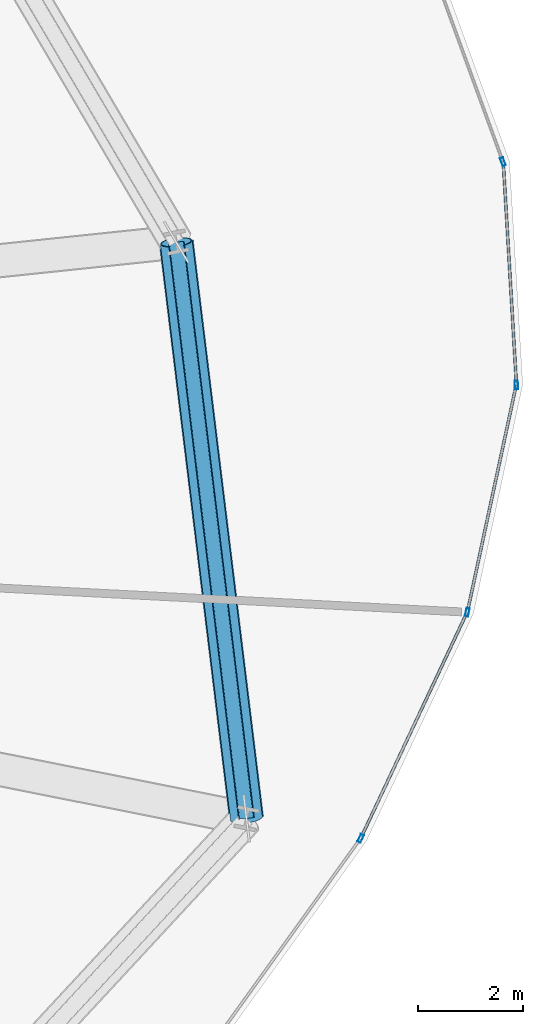
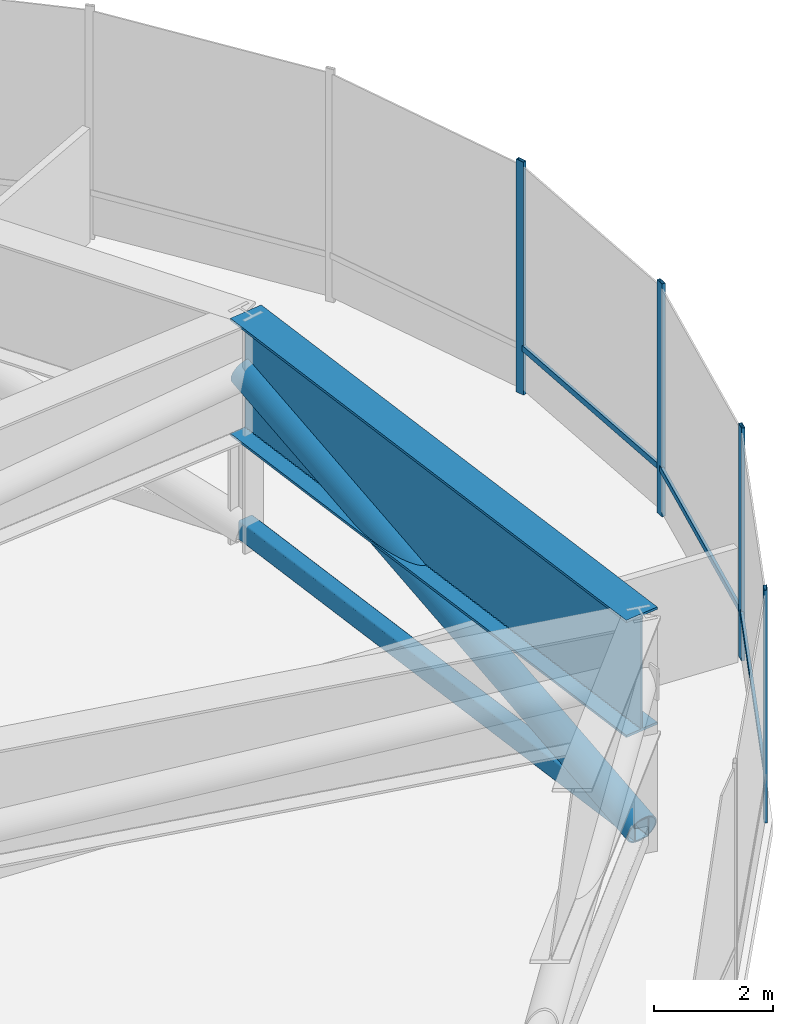
# One storey, part 15 of 33: 9 members, 1 beam, 2 elements without a shape of their own.
"""IFC4 building model written with IfcOpenShell, lengths in metres."""

from ifc_helpers import new_model, si_unit, direction, frame, origin, origin_2d, place, context, subcontext, project, spatial, hollow_rectangle, hollow_circle, i_section, extrude, source, transform, mapped, material, layer, layer_set, material_profile, profile_set, type_object, element, aggregate, save


model = new_model("IFC4")

# Units and contexts
model_context = context("Model", 3, precision=1e-05, world=origin(), true_north=direction((0.0, 1.0)))
body_context = subcontext(model_context, "Body", "Model", "MODEL_VIEW")
ifc_project = project(units=[si_unit("LENGTHUNIT", "METRE"), si_unit("AREAUNIT", "SQUARE_METRE"), si_unit("VOLUMEUNIT", "CUBIC_METRE"), si_unit("PLANEANGLEUNIT", "RADIAN"), si_unit("MASSUNIT", "GRAM", prefix="KILO"), si_unit("THERMODYNAMICTEMPERATUREUNIT", "KELVIN")], contexts=[model_context])

# Site, building, storey
site_placement = place(None, origin())
site = spatial("IfcSite", under=ifc_project, at=site_placement, CompositionType="ELEMENT")
building_placement = place(site_placement, origin())
building = spatial("IfcBuilding", under=site, at=building_placement, Name="Kethvar Cultural Tower", CompositionType="ELEMENT")
storey_placement = place(building_placement, frame((0.0, 0.0, 80.39990234375)))
storey = spatial("IfcBuildingStorey", under=building, at=storey_placement, Name="L19", CompositionType="ELEMENT", Elevation=80.39990234375)

# Beam
ifc_material_1 = material(Name="Steel S460M", Category="steel")
ifc_material_profile_1 = material_profile(ifc_material_1, i_section(OverallWidth=0.64990234375, OverallDepth=2.39990234375, WebThickness=0.030029296875, FlangeThickness=0.048095703125, FilletRadius=0.02197265625, at=origin_2d()), Name="Steel S460M — PG2400x650x48x30")
ifc_profile_set_1 = profile_set([ifc_material_profile_1], Name="Steel S460M — PG2400x650x48x30")
beam_type = type_object("IfcBeamType", Name="BM-TR2400", PredefinedType="BEAM", material=ifc_profile_set_1)
shared_shape_1 = source(origin(), body_context, "Body", "SweptSolid", [
    extrude(i_section(OverallWidth=0.64990234375, OverallDepth=2.39990234375, WebThickness=0.030029296875, FlangeThickness=0.048095703125, FilletRadius=0.02197265625, at=origin_2d()), origin(), (0.0, 0.0, 1.0), 11.03076171875),
])
beam_placement = place(storey_placement, frame((74.9912109375, 22.1923828125, 3.55810546875), z_axis=(-0.120977779442, 0.992655215511, 0.0), x_axis=(-0.992655215511, -0.120977779442, 0.0)))
element("IfcBeam", 1, at=beam_placement, inside=storey, type_object=beam_type, Name="L19 Ring Belt Girder BG-16", PredefinedType="BEAM", context=body_context, shape_type="MappedRepresentation", body=[
    mapped(shared_shape_1, transform((0.0, 0.0, 0.0), scale=1.0)),
])

# Members
ifc_material_profile_2 = material_profile(ifc_material_1, hollow_rectangle(XDim=0.300048828125, YDim=0.39990234375, WallThickness=0.01611328125, InnerFilletRadius=0.01611328125, OuterFilletRadius=0.031982421875, at=origin_2d()), Name="Steel S460M — RHS400x300x16")
ifc_profile_set_2 = profile_set([ifc_material_profile_2], Name="Steel S460M — RHS400x300x16")
member_type_1 = type_object("IfcMemberType", Name="MB-CHD-400", PredefinedType="CHORD", material=ifc_profile_set_2)
shared_shape_2 = source(origin(), body_context, "Body", "SweptSolid", [
    extrude(hollow_rectangle(XDim=0.300048828125, YDim=0.39990234375, WallThickness=0.01611328125, InnerFilletRadius=0.01611328125, OuterFilletRadius=0.031982421875, at=origin_2d()), origin(), (0.0, 0.0, 1.0), 11.03076171875),
])
member_1_placement = place(storey_placement, frame((74.9912109375, 22.1923828125, 0.35009765625), z_axis=(-0.120977779442, 0.992655215511, 0.0), x_axis=(-0.992655215511, -0.120977779442, 0.0)))
element("IfcMember", 2, at=member_1_placement, inside=storey, type_object=member_type_1, Name="L19 Ring Belt Bottom Chord BC-16", PredefinedType="CHORD", context=body_context, shape_type="MappedRepresentation", body=[
    mapped(shared_shape_2, transform((0.0, 0.0, 0.0), scale=1.0)),
])
ifc_material_profile_3 = material_profile(ifc_material_1, hollow_circle(Radius=0.304931640625, WallThickness=0.02490234375, at=origin_2d()), Name="Steel S460M — CHS610x25")
ifc_profile_set_3 = profile_set([ifc_material_profile_3], Name="Steel S460M — CHS610x25")
member_type_2 = type_object("IfcMemberType", Name="MB-OUT-610", PredefinedType="BRACE", material=ifc_profile_set_3)
shared_shape_3 = source(origin(), body_context, "Body", "SweptSolid", [
    extrude(hollow_circle(Radius=0.304931640625, WallThickness=0.02490234375, at=origin_2d()), origin(), (0.0, 0.0, 1.0), 11.48779296875),
])
member_2_placement = place(storey_placement, frame((74.9912109375, 22.1923828125, 0.35009765625), z_axis=(-0.116164922598, 0.95316443076, 0.279254863326), x_axis=(-0.992655215511, -0.120977779442, 0.0)))
element("IfcMember", 3, at=member_2_placement, inside=storey, type_object=member_type_2, Name="L19 Ring Belt Diagonal BD-16", PredefinedType="BRACE", context=body_context, shape_type="MappedRepresentation", body=[
    mapped(shared_shape_3, transform((0.0, 0.0, 0.0), scale=1.0)),
])

# Curtain wall, member
ifc_material_2 = material(Name="Aluminium 6063-T6", Category="aluminium")
ifc_layer = layer(ifc_material_2, 0.179931640625, Name="Aluminium 6063-T6", Category="aluminium")
ifc_layer_set = layer_set([ifc_layer], Name="Aluminium 6063-T6 (180 mm)")
curtain_wall_type = type_object("IfcCurtainWallType", Name="CW-SYS-02-Z1", PredefinedType="NOTDEFINED", material=ifc_layer_set)
curtain_wall_1_placement = place(storey_placement, origin())
curtain_wall_1 = element("IfcCurtainWall", 4, at=curtain_wall_1_placement, inside=storey, type_object=curtain_wall_type, Name="L19 Curtain Wall Run 01", PredefinedType="NOTDEFINED")
ifc_material_profile_4 = material_profile(ifc_material_2, hollow_rectangle(XDim=0.06494140625, YDim=0.159912109375, WallThickness=0.0048828125, at=origin_2d()), Name="Aluminium 6063-T6 — RHS160x65x5")
ifc_profile_set_4 = profile_set([ifc_material_profile_4], Name="Aluminium 6063-T6 — RHS160x65x5")
member_type_3 = type_object("IfcMemberType", Name="CW-SYS-02-Z1-MUL", PredefinedType="MULLION", material=ifc_profile_set_4)
shared_shape_4 = source(origin(), body_context, "Body", "SweptSolid", [
    extrude(hollow_rectangle(XDim=0.06494140625, YDim=0.159912109375, WallThickness=0.0048828125, at=origin_2d()), origin(), (0.0, 0.0, 1.0), 4.760009765625),
])
member_3_placement = place(storey_placement, frame((79.862548828125, 34.671875, 0.0), z_axis=(0.0, 0.0, 1.0), x_axis=(-0.939626940315, -0.342200545053, 0.0)))
member_3 = element("IfcMember", 5, at=member_3_placement, type_object=member_type_3, Name="CW-L19-R01 Mullion 1", PredefinedType="MULLION", context=body_context, shape_type="MappedRepresentation", body=[
    mapped(shared_shape_4, transform((0.0, 0.0, 0.0), scale=1.0)),
])
aggregate(curtain_wall_1, [member_3])

# Curtain wall, members
curtain_wall_2_placement = place(storey_placement, origin())
curtain_wall_2 = element("IfcCurtainWall", 6, at=curtain_wall_2_placement, inside=storey, type_object=curtain_wall_type, Name="L19 Curtain Wall Run 06", PredefinedType="NOTDEFINED")
member_4_placement = place(storey_placement, frame((77.161865234375, 21.8154296875, 0.0), z_axis=(0.0, 0.0, 1.0), x_axis=(-0.904819621078, 0.425795083711, 0.0)))
member_4 = element("IfcMember", 7, at=member_4_placement, type_object=member_type_3, Name="CW-L19-R06 Mullion 4", PredefinedType="MULLION", context=body_context, shape_type="MappedRepresentation", body=[
    mapped(shared_shape_4, transform((0.0, 0.0, 0.0), scale=1.0)),
])
member_5_placement = place(storey_placement, frame((79.18701171875, 26.111572265625, 0.0), z_axis=(0.0, 0.0, 1.0), x_axis=(-0.977632986531, 0.210318196186, 0.0)))
member_5 = element("IfcMember", 8, at=member_5_placement, type_object=member_type_3, Name="CW-L19-R06 Mullion 5", PredefinedType="MULLION", context=body_context, shape_type="MappedRepresentation", body=[
    mapped(shared_shape_4, transform((0.0, 0.0, 0.0), scale=1.0)),
])
member_6_placement = place(storey_placement, frame((80.12060546875, 30.430419921875, 0.0), z_axis=(0.0, 0.0, 1.0), x_axis=(-0.998251195533, -0.059114724195, 0.0)))
member_6 = element("IfcMember", 9, at=member_6_placement, type_object=member_type_3, Name="CW-L19-R06 Mullion 6", PredefinedType="MULLION", context=body_context, shape_type="MappedRepresentation", body=[
    mapped(shared_shape_4, transform((0.0, 0.0, 0.0), scale=1.0)),
])
ifc_material_profile_5 = material_profile(ifc_material_2, hollow_rectangle(XDim=0.054931640625, YDim=0.1201171875, WallThickness=0.00390625, at=origin_2d()), Name="Aluminium 6063-T6 — RHS120x55x4")
ifc_profile_set_5 = profile_set([ifc_material_profile_5], Name="Aluminium 6063-T6 — RHS120x55x4")
member_type_4 = type_object("IfcMemberType", Name="CW-SYS-02-Z1-TRN", PredefinedType="USERDEFINED", material=ifc_profile_set_5)
shared_shape_5 = source(origin(), body_context, "Body", "SweptSolid", [
    extrude(hollow_rectangle(XDim=0.054931640625, YDim=0.1201171875, WallThickness=0.00390625, at=origin_2d()), origin(), (0.0, 0.0, 1.0), 4.1494140625),
])
member_7_placement = place(storey_placement, frame((80.117919921875, 30.477294921875, 0.9501953125), z_axis=(-0.059073831824, 0.998253616269, 0.0), x_axis=(-0.998253616269, -0.059073831824, 0.0)))
member_7 = element("IfcMember", 10, at=member_7_placement, type_object=member_type_4, Name="CW-L19-R06 Transom 6", ObjectType="TRANSOM", PredefinedType="USERDEFINED", context=body_context, shape_type="MappedRepresentation", body=[
    mapped(shared_shape_5, transform((0.0, 0.0, 0.0), scale=1.0)),
])
shared_shape_6 = source(origin(), body_context, "Body", "SweptSolid", [
    extrude(hollow_rectangle(XDim=0.054931640625, YDim=0.1201171875, WallThickness=0.00390625, at=origin_2d()), origin(), (0.0, 0.0, 1.0), 4.68310546875),
])
member_8_placement = place(storey_placement, frame((77.181884765625, 21.85791015625, 0.9501953125), z_axis=(0.425774440083, 0.904829335384, 0.0), x_axis=(-0.904829335384, 0.425774440083, 0.0)))
member_8 = element("IfcMember", 11, at=member_8_placement, type_object=member_type_4, Name="CW-L19-R06 Transom 4", ObjectType="TRANSOM", PredefinedType="USERDEFINED", context=body_context, shape_type="MappedRepresentation", body=[
    mapped(shared_shape_6, transform((0.0, 0.0, 0.0), scale=1.0)),
])
shared_shape_7 = source(origin(), body_context, "Body", "SweptSolid", [
    extrude(hollow_rectangle(XDim=0.054931640625, YDim=0.1201171875, WallThickness=0.00390625, at=origin_2d()), origin(), (0.0, 0.0, 1.0), 4.35693359375),
])
member_9_placement = place(storey_placement, frame((79.197021484375, 26.157470703125, 0.9501953125), z_axis=(0.210298202565, 0.977637287545, 0.0), x_axis=(-0.977637287545, 0.210298202565, 0.0)))
member_9 = element("IfcMember", 12, at=member_9_placement, type_object=member_type_4, Name="CW-L19-R06 Transom 5", ObjectType="TRANSOM", PredefinedType="USERDEFINED", context=body_context, shape_type="MappedRepresentation", body=[
    mapped(shared_shape_7, transform((0.0, 0.0, 0.0), scale=1.0)),
])
aggregate(curtain_wall_2, [member_4, member_5, member_6, member_8, member_9, member_7])

save(model, "model.ifc")
